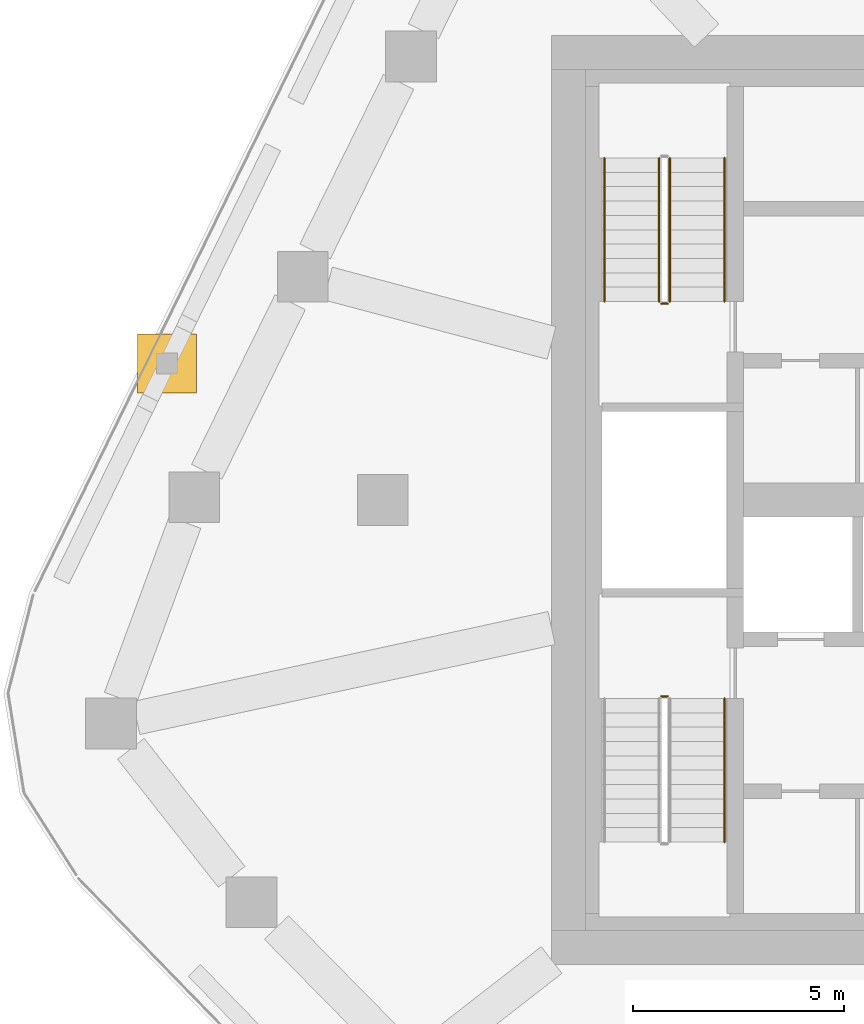
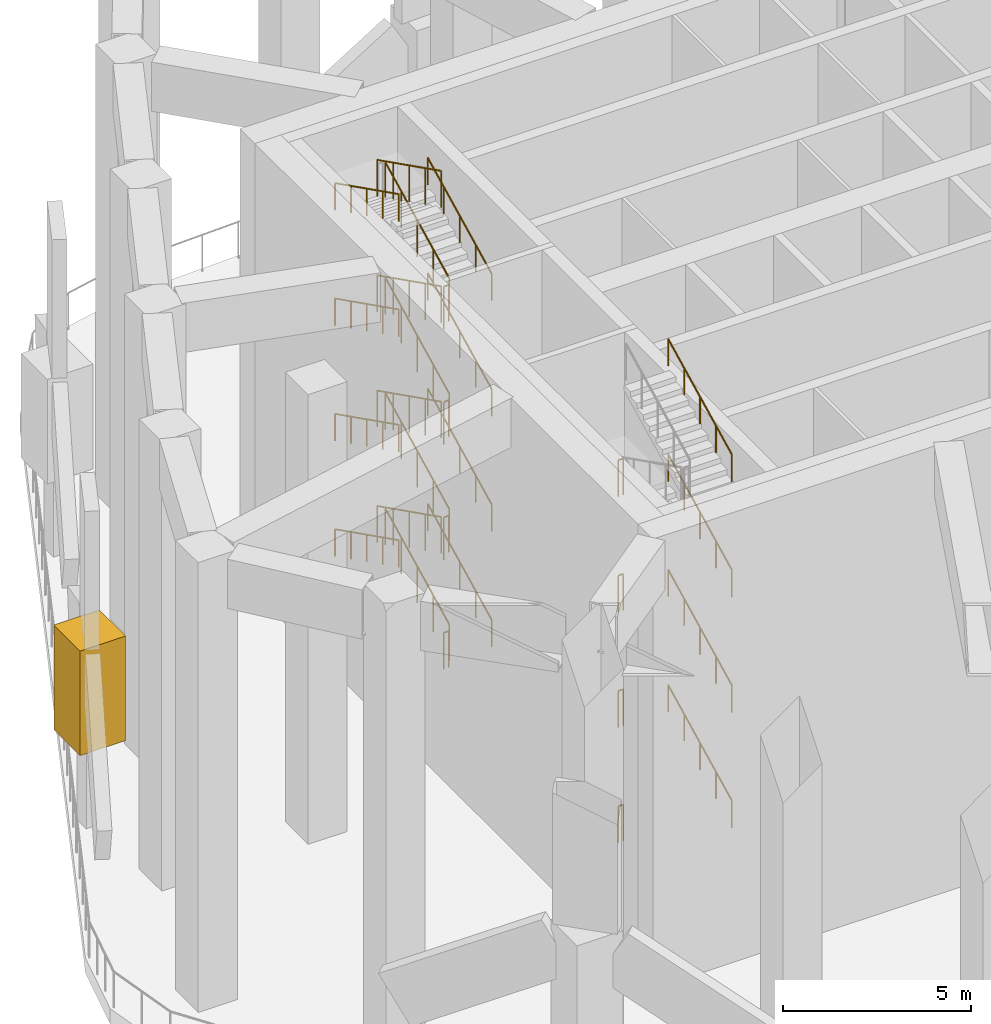
# One storey, part 8 of 12: 28 railings, 1 covering.
"""IFC4 building model written with IfcOpenShell, lengths in metres."""

from ifc_helpers import new_model, si_unit, direction, frame, origin, origin_2d, place, context, subcontext, project, spatial, rectangle, circle, extrude, material, material_profile, profile_set, type_object, element, save


model = new_model("IFC4")

# Units and contexts
model_context = context("Model", 3, precision=1e-05, world=origin(), true_north=direction((0.0, 1.0)))
body_context = subcontext(model_context, "Body", "Model", "MODEL_VIEW")
ifc_project = project(units=[si_unit("LENGTHUNIT", "METRE"), si_unit("AREAUNIT", "SQUARE_METRE"), si_unit("VOLUMEUNIT", "CUBIC_METRE"), si_unit("PLANEANGLEUNIT", "RADIAN"), si_unit("MASSUNIT", "GRAM", prefix="KILO")], contexts=[model_context])

# Site, building, storey
site_placement = place(None, origin())
site = spatial("IfcSite", under=ifc_project, at=site_placement, CompositionType="ELEMENT")
building_placement = place(site_placement, origin())
building = spatial("IfcBuilding", under=site, at=building_placement, Name="Dongbaek Canopy Tower", CompositionType="ELEMENT")
storey_placement = place(building_placement, frame((0.0, 0.0, 183.800048828125)))
storey = spatial("IfcBuildingStorey", under=building, at=storey_placement, Name="L40", CompositionType="ELEMENT", Elevation=183.800048828125)

# Railings
ifc_material_1 = material(Name="Stainless steel tube and balusters", Category="steel")
railing_type_1 = type_object("IfcRailingType", Name="Stair guard 1200", PredefinedType="GUARDRAIL", material=ifc_material_1)
railing_1_placement = place(storey_placement, frame((-11.199951171875, 4.699951171875, 0.17041015625)))
element("IfcRailing", 1, at=railing_1_placement, inside=storey, type_object=railing_type_1, Name="L40 ST-C stair guard 1", PredefinedType="GUARDRAIL", context=body_context, shape_type="SweptSolid", body=[
    extrude(circle(Radius=0.02392578125, at=origin_2d()), frame((0.0, 0.0, 1.17578125), z_axis=(0.0, 0.893951692422, 0.448163331406), x_axis=(-1.0, 0.0, 0.0)), (0.0, 0.0, 1.0), 3.803466796875),
    extrude(circle(Radius=0.02099609375, at=origin_2d()), origin(), (0.0, 0.0, 1.0), 1.15185546875),
    extrude(circle(Radius=0.02099609375, at=origin_2d()), frame((0.0, 0.85009765625, 0.42626953125)), (0.0, 0.0, 1.0), 1.15185546875),
    extrude(circle(Radius=0.02099609375, at=origin_2d()), frame((0.0, 1.7001953125, 0.852294921875)), (0.0, 0.0, 1.0), 1.15185546875),
    extrude(circle(Radius=0.02099609375, at=origin_2d()), frame((0.0, 2.550048828125, 1.2783203125)), (0.0, 0.0, 1.0), 1.15185546875),
    extrude(circle(Radius=0.02099609375, at=origin_2d()), frame((0.0, 3.400146484375, 1.70458984375)), (0.0, 0.0, 1.0), 1.15185546875),
])
railing_2_placement = place(storey_placement, frame((-11.449951171875, 8.10009765625, 2.04541015625)))
element("IfcRailing", 2, at=railing_2_placement, inside=storey, type_object=railing_type_1, Name="L40 ST-C stair guard 3", PredefinedType="GUARDRAIL", context=body_context, shape_type="SweptSolid", body=[
    extrude(circle(Radius=0.02392578125, at=origin_2d()), frame((0.0, 0.0, 1.17578125), z_axis=(0.0, -0.893951692422, 0.448163331406), x_axis=(1.0, 0.0, 0.0)), (0.0, 0.0, 1.0), 3.803466796875),
    extrude(circle(Radius=0.02099609375, at=origin_2d()), origin(), (0.0, 0.0, 1.0), 1.15185546875),
    extrude(circle(Radius=0.02099609375, at=origin_2d()), frame((0.0, -0.85009765625, 0.42626953125)), (0.0, 0.0, 1.0), 1.15185546875),
    extrude(circle(Radius=0.02099609375, at=origin_2d()), frame((0.0, -1.7001953125, 0.852294921875)), (0.0, 0.0, 1.0), 1.15185546875),
    extrude(circle(Radius=0.02099609375, at=origin_2d()), frame((0.0, -2.550048828125, 1.2783203125)), (0.0, 0.0, 1.0), 1.15185546875),
    extrude(circle(Radius=0.02099609375, at=origin_2d()), frame((0.0, -3.400146484375, 1.70458984375)), (0.0, 0.0, 1.0), 1.15185546875),
])
railing_3_placement = place(storey_placement, frame((-11.25, 4.64990234375, 3.75)))
element("IfcRailing", 3, at=railing_3_placement, inside=storey, type_object=railing_type_1, Name="L40 ST-C stair guard 4", PredefinedType="GUARDRAIL", context=body_context, shape_type="SweptSolid", body=[
    extrude(circle(Radius=0.02392578125, at=origin_2d()), frame((0.0, 0.0, 1.17578125), z_axis=(-1.0, 0.0, 0.0), x_axis=(0.0, -1.0, 0.0)), (0.0, 0.0, 1.0), 0.14990234375),
    extrude(circle(Radius=0.02099609375, at=origin_2d()), origin(), (0.0, 0.0, 1.0), 1.15185546875),
    extrude(circle(Radius=0.02099609375, at=origin_2d()), frame((-0.14990234375, 0.0, 0.0)), (0.0, 0.0, 1.0), 1.15185546875),
])
railing_4_placement = place(storey_placement, frame((-11.199951171875, 4.699951171875, 3.92041015625)))
element("IfcRailing", 4, at=railing_4_placement, inside=storey, type_object=railing_type_1, Name="L40 ST-C stair guard 5", PredefinedType="GUARDRAIL", context=body_context, shape_type="SweptSolid", body=[
    extrude(circle(Radius=0.02392578125, at=origin_2d()), frame((0.0, 0.0, 1.17578125), z_axis=(0.0, 0.893951692422, 0.448163331406), x_axis=(-1.0, 0.0, 0.0)), (0.0, 0.0, 1.0), 3.803466796875),
    extrude(circle(Radius=0.02099609375, at=origin_2d()), origin(), (0.0, 0.0, 1.0), 1.15185546875),
    extrude(circle(Radius=0.02099609375, at=origin_2d()), frame((0.0, 0.85009765625, 0.42626953125)), (0.0, 0.0, 1.0), 1.15185546875),
    extrude(circle(Radius=0.02099609375, at=origin_2d()), frame((0.0, 1.7001953125, 0.852294921875)), (0.0, 0.0, 1.0), 1.15185546875),
    extrude(circle(Radius=0.02099609375, at=origin_2d()), frame((0.0, 2.550048828125, 1.2783203125)), (0.0, 0.0, 1.0), 1.15185546875),
    extrude(circle(Radius=0.02099609375, at=origin_2d()), frame((0.0, 3.400146484375, 1.70458984375)), (0.0, 0.0, 1.0), 1.15185546875),
])
railing_5_placement = place(storey_placement, frame((-11.449951171875, 8.10009765625, 5.79541015625)))
element("IfcRailing", 5, at=railing_5_placement, inside=storey, type_object=railing_type_1, Name="L40 ST-C stair guard 7", PredefinedType="GUARDRAIL", context=body_context, shape_type="SweptSolid", body=[
    extrude(circle(Radius=0.02392578125, at=origin_2d()), frame((0.0, 0.0, 1.17578125), z_axis=(0.0, -0.893951692422, 0.448163331406), x_axis=(1.0, 0.0, 0.0)), (0.0, 0.0, 1.0), 3.803466796875),
    extrude(circle(Radius=0.02099609375, at=origin_2d()), origin(), (0.0, 0.0, 1.0), 1.15185546875),
    extrude(circle(Radius=0.02099609375, at=origin_2d()), frame((0.0, -0.85009765625, 0.42626953125)), (0.0, 0.0, 1.0), 1.15185546875),
    extrude(circle(Radius=0.02099609375, at=origin_2d()), frame((0.0, -1.7001953125, 0.852294921875)), (0.0, 0.0, 1.0), 1.15185546875),
    extrude(circle(Radius=0.02099609375, at=origin_2d()), frame((0.0, -2.550048828125, 1.2783203125)), (0.0, 0.0, 1.0), 1.15185546875),
    extrude(circle(Radius=0.02099609375, at=origin_2d()), frame((0.0, -3.400146484375, 1.70458984375)), (0.0, 0.0, 1.0), 1.15185546875),
])
railing_6_placement = place(storey_placement, frame((-11.25, 4.64990234375, 7.5)))
element("IfcRailing", 6, at=railing_6_placement, inside=storey, type_object=railing_type_1, Name="L40 ST-C stair guard 8", PredefinedType="GUARDRAIL", context=body_context, shape_type="SweptSolid", body=[
    extrude(circle(Radius=0.02392578125, at=origin_2d()), frame((0.0, 0.0, 1.17578125), z_axis=(-1.0, 0.0, 0.0), x_axis=(0.0, -1.0, 0.0)), (0.0, 0.0, 1.0), 0.14990234375),
    extrude(circle(Radius=0.02099609375, at=origin_2d()), origin(), (0.0, 0.0, 1.0), 1.15185546875),
    extrude(circle(Radius=0.02099609375, at=origin_2d()), frame((-0.14990234375, 0.0, 0.0)), (0.0, 0.0, 1.0), 1.15185546875),
])
railing_7_placement = place(storey_placement, frame((-11.199951171875, 4.699951171875, 7.67041015625)))
element("IfcRailing", 7, at=railing_7_placement, inside=storey, type_object=railing_type_1, Name="L40 ST-C stair guard 9", PredefinedType="GUARDRAIL", context=body_context, shape_type="SweptSolid", body=[
    extrude(circle(Radius=0.02392578125, at=origin_2d()), frame((0.0, 0.0, 1.17578125), z_axis=(0.0, 0.893951692422, 0.448163331406), x_axis=(-1.0, 0.0, 0.0)), (0.0, 0.0, 1.0), 3.803466796875),
    extrude(circle(Radius=0.02099609375, at=origin_2d()), origin(), (0.0, 0.0, 1.0), 1.15185546875),
    extrude(circle(Radius=0.02099609375, at=origin_2d()), frame((0.0, 0.85009765625, 0.42626953125)), (0.0, 0.0, 1.0), 1.15185546875),
    extrude(circle(Radius=0.02099609375, at=origin_2d()), frame((0.0, 1.7001953125, 0.852294921875)), (0.0, 0.0, 1.0), 1.15185546875),
    extrude(circle(Radius=0.02099609375, at=origin_2d()), frame((0.0, 2.550048828125, 1.2783203125)), (0.0, 0.0, 1.0), 1.15185546875),
    extrude(circle(Radius=0.02099609375, at=origin_2d()), frame((0.0, 3.400146484375, 1.70458984375)), (0.0, 0.0, 1.0), 1.15185546875),
])
railing_8_placement = place(storey_placement, frame((-11.449951171875, 8.10009765625, 9.54541015625)))
element("IfcRailing", 8, at=railing_8_placement, inside=storey, type_object=railing_type_1, Name="L40 ST-C stair guard 11", PredefinedType="GUARDRAIL", context=body_context, shape_type="SweptSolid", body=[
    extrude(circle(Radius=0.02392578125, at=origin_2d()), frame((0.0, 0.0, 1.17578125), z_axis=(0.0, -0.893951692422, 0.448163331406), x_axis=(1.0, 0.0, 0.0)), (0.0, 0.0, 1.0), 3.803466796875),
    extrude(circle(Radius=0.02099609375, at=origin_2d()), origin(), (0.0, 0.0, 1.0), 1.15185546875),
    extrude(circle(Radius=0.02099609375, at=origin_2d()), frame((0.0, -0.85009765625, 0.42626953125)), (0.0, 0.0, 1.0), 1.15185546875),
    extrude(circle(Radius=0.02099609375, at=origin_2d()), frame((0.0, -1.7001953125, 0.852294921875)), (0.0, 0.0, 1.0), 1.15185546875),
    extrude(circle(Radius=0.02099609375, at=origin_2d()), frame((0.0, -2.550048828125, 1.2783203125)), (0.0, 0.0, 1.0), 1.15185546875),
    extrude(circle(Radius=0.02099609375, at=origin_2d()), frame((0.0, -3.400146484375, 1.70458984375)), (0.0, 0.0, 1.0), 1.15185546875),
])
railing_9_placement = place(storey_placement, frame((-11.25, 4.64990234375, 11.25)))
element("IfcRailing", 9, at=railing_9_placement, inside=storey, type_object=railing_type_1, Name="L40 ST-C stair guard 12", PredefinedType="GUARDRAIL", context=body_context, shape_type="SweptSolid", body=[
    extrude(circle(Radius=0.02392578125, at=origin_2d()), frame((0.0, 0.0, 1.17578125), z_axis=(-1.0, 0.0, 0.0), x_axis=(0.0, -1.0, 0.0)), (0.0, 0.0, 1.0), 0.14990234375),
    extrude(circle(Radius=0.02099609375, at=origin_2d()), origin(), (0.0, 0.0, 1.0), 1.15185546875),
    extrude(circle(Radius=0.02099609375, at=origin_2d()), frame((-0.14990234375, 0.0, 0.0)), (0.0, 0.0, 1.0), 1.15185546875),
])
railing_10_placement = place(storey_placement, frame((-11.199951171875, 4.699951171875, 11.42041015625)))
element("IfcRailing", 10, at=railing_10_placement, inside=storey, type_object=railing_type_1, Name="L40 ST-C stair guard 13", PredefinedType="GUARDRAIL", context=body_context, shape_type="SweptSolid", body=[
    extrude(circle(Radius=0.02392578125, at=origin_2d()), frame((0.0, 0.0, 1.17578125), z_axis=(0.0, 0.893951692422, 0.448163331406), x_axis=(-1.0, 0.0, 0.0)), (0.0, 0.0, 1.0), 3.803466796875),
    extrude(circle(Radius=0.02099609375, at=origin_2d()), origin(), (0.0, 0.0, 1.0), 1.15185546875),
    extrude(circle(Radius=0.02099609375, at=origin_2d()), frame((0.0, 0.85009765625, 0.42626953125)), (0.0, 0.0, 1.0), 1.15185546875),
    extrude(circle(Radius=0.02099609375, at=origin_2d()), frame((0.0, 1.7001953125, 0.852294921875)), (0.0, 0.0, 1.0), 1.15185546875),
    extrude(circle(Radius=0.02099609375, at=origin_2d()), frame((0.0, 2.550048828125, 1.2783203125)), (0.0, 0.0, 1.0), 1.15185546875),
    extrude(circle(Radius=0.02099609375, at=origin_2d()), frame((0.0, 3.400146484375, 1.70458984375)), (0.0, 0.0, 1.0), 1.15185546875),
])
railing_11_placement = place(storey_placement, frame((-11.449951171875, 8.10009765625, 13.29541015625)))
element("IfcRailing", 11, at=railing_11_placement, inside=storey, type_object=railing_type_1, Name="L40 ST-C stair guard 15", PredefinedType="GUARDRAIL", context=body_context, shape_type="SweptSolid", body=[
    extrude(circle(Radius=0.02392578125, at=origin_2d()), frame((0.0, 0.0, 1.17578125), z_axis=(0.0, -0.893951692422, 0.448163331406), x_axis=(1.0, 0.0, 0.0)), (0.0, 0.0, 1.0), 3.803466796875),
    extrude(circle(Radius=0.02099609375, at=origin_2d()), origin(), (0.0, 0.0, 1.0), 1.15185546875),
    extrude(circle(Radius=0.02099609375, at=origin_2d()), frame((0.0, -0.85009765625, 0.42626953125)), (0.0, 0.0, 1.0), 1.15185546875),
    extrude(circle(Radius=0.02099609375, at=origin_2d()), frame((0.0, -1.7001953125, 0.852294921875)), (0.0, 0.0, 1.0), 1.15185546875),
    extrude(circle(Radius=0.02099609375, at=origin_2d()), frame((0.0, -2.550048828125, 1.2783203125)), (0.0, 0.0, 1.0), 1.15185546875),
    extrude(circle(Radius=0.02099609375, at=origin_2d()), frame((0.0, -3.400146484375, 1.70458984375)), (0.0, 0.0, 1.0), 1.15185546875),
])
railing_12_placement = place(storey_placement, frame((-11.25, 4.64990234375, 0.0)))
element("IfcRailing", 12, at=railing_12_placement, inside=storey, type_object=railing_type_1, Name="L40 ST-C stair guard 16", PredefinedType="GUARDRAIL", context=body_context, shape_type="SweptSolid", body=[
    extrude(circle(Radius=0.02392578125, at=origin_2d()), frame((0.0, 0.0, 1.17578125), z_axis=(-1.0, 0.0, 0.0), x_axis=(0.0, -1.0, 0.0)), (0.0, 0.0, 1.0), 0.14990234375),
    extrude(circle(Radius=0.02099609375, at=origin_2d()), origin(), (0.0, 0.0, 1.0), 1.15185546875),
    extrude(circle(Radius=0.02099609375, at=origin_2d()), frame((-0.14990234375, 0.0, 0.0)), (0.0, 0.0, 1.0), 1.15185546875),
])
for number, where, name in (
    (13, (-11.39990234375, -4.64990234375, 3.75), "L40 ST-D stair guard 4"),
    (14, (-11.39990234375, -4.64990234375, 7.5), "L40 ST-D stair guard 8"),
    (15, (-11.39990234375, -4.64990234375, 11.25), "L40 ST-D stair guard 12"),
    (16, (-11.39990234375, -4.64990234375, 0.0), "L40 ST-D stair guard 16"),
):
    element("IfcRailing", number, at=place(storey_placement, frame(where)), inside=storey, type_object=railing_type_1, Name=name, PredefinedType="GUARDRAIL", context=body_context, shape_type="SweptSolid", body=[
        extrude(circle(Radius=0.02392578125, at=origin_2d()), frame((0.0, 0.0, 1.17578125), z_axis=(1.0, 0.0, 0.0), x_axis=(0.0, 1.0, 0.0)), (0.0, 0.0, 1.0), 0.14990234375),
        extrude(circle(Radius=0.02099609375, at=origin_2d()), origin(), (0.0, 0.0, 1.0), 1.15185546875),
        extrude(circle(Radius=0.02099609375, at=origin_2d()), frame((0.14990234375, 0.0, 0.0)), (0.0, 0.0, 1.0), 1.15185546875),
    ])
ifc_material_2 = material(Name="Stainless steel tube", Category="steel")
railing_type_2 = type_object("IfcRailingType", Name="Stair handrail 900", PredefinedType="HANDRAIL", material=ifc_material_2)
railing_13_placement = place(storey_placement, frame((-9.89990234375, 4.699951171875, 0.17041015625)))
element("IfcRailing", 17, at=railing_13_placement, inside=storey, type_object=railing_type_2, Name="L40 ST-C stair handrail 1", PredefinedType="HANDRAIL", context=body_context, shape_type="SweptSolid", body=[
    extrude(circle(Radius=0.02392578125, at=origin_2d()), frame((0.0, 0.0, 0.8759765625), z_axis=(0.0, 0.893951692422, 0.448163331406), x_axis=(-1.0, 0.0, 0.0)), (0.0, 0.0, 1.0), 3.803466796875),
    extrude(circle(Radius=0.02099609375, at=origin_2d()), origin(), (0.0, 0.0, 1.0), 0.851806640625),
    extrude(circle(Radius=0.02099609375, at=origin_2d()), frame((0.0, 0.85009765625, 0.42626953125)), (0.0, 0.0, 1.0), 0.851806640625),
    extrude(circle(Radius=0.02099609375, at=origin_2d()), frame((0.0, 1.7001953125, 0.852294921875)), (0.0, 0.0, 1.0), 0.851806640625),
    extrude(circle(Radius=0.02099609375, at=origin_2d()), frame((0.0, 2.550048828125, 1.2783203125)), (0.0, 0.0, 1.0), 0.851806640625),
    extrude(circle(Radius=0.02099609375, at=origin_2d()), frame((0.0, 3.400146484375, 1.70458984375)), (0.0, 0.0, 1.0), 0.851806640625),
])
railing_14_placement = place(storey_placement, frame((-12.75, 8.10009765625, 2.04541015625)))
element("IfcRailing", 18, at=railing_14_placement, inside=storey, type_object=railing_type_2, Name="L40 ST-C stair handrail 2", PredefinedType="HANDRAIL", context=body_context, shape_type="SweptSolid", body=[
    extrude(circle(Radius=0.02392578125, at=origin_2d()), frame((0.0, 0.0, 0.8759765625), z_axis=(0.0, -0.893951692422, 0.448163331406), x_axis=(1.0, 0.0, 0.0)), (0.0, 0.0, 1.0), 3.803466796875),
    extrude(circle(Radius=0.02099609375, at=origin_2d()), origin(), (0.0, 0.0, 1.0), 0.851806640625),
    extrude(circle(Radius=0.02099609375, at=origin_2d()), frame((0.0, -0.85009765625, 0.42626953125)), (0.0, 0.0, 1.0), 0.851806640625),
    extrude(circle(Radius=0.02099609375, at=origin_2d()), frame((0.0, -1.7001953125, 0.852294921875)), (0.0, 0.0, 1.0), 0.851806640625),
    extrude(circle(Radius=0.02099609375, at=origin_2d()), frame((0.0, -2.550048828125, 1.2783203125)), (0.0, 0.0, 1.0), 0.851806640625),
    extrude(circle(Radius=0.02099609375, at=origin_2d()), frame((0.0, -3.400146484375, 1.70458984375)), (0.0, 0.0, 1.0), 0.851806640625),
])
railing_15_placement = place(storey_placement, frame((-9.89990234375, 4.699951171875, 3.92041015625)))
element("IfcRailing", 19, at=railing_15_placement, inside=storey, type_object=railing_type_2, Name="L40 ST-C stair handrail 3", PredefinedType="HANDRAIL", context=body_context, shape_type="SweptSolid", body=[
    extrude(circle(Radius=0.02392578125, at=origin_2d()), frame((0.0, 0.0, 0.8759765625), z_axis=(0.0, 0.893951692422, 0.448163331406), x_axis=(-1.0, 0.0, 0.0)), (0.0, 0.0, 1.0), 3.803466796875),
    extrude(circle(Radius=0.02099609375, at=origin_2d()), origin(), (0.0, 0.0, 1.0), 0.851806640625),
    extrude(circle(Radius=0.02099609375, at=origin_2d()), frame((0.0, 0.85009765625, 0.42626953125)), (0.0, 0.0, 1.0), 0.851806640625),
    extrude(circle(Radius=0.02099609375, at=origin_2d()), frame((0.0, 1.7001953125, 0.852294921875)), (0.0, 0.0, 1.0), 0.851806640625),
    extrude(circle(Radius=0.02099609375, at=origin_2d()), frame((0.0, 2.550048828125, 1.2783203125)), (0.0, 0.0, 1.0), 0.851806640625),
    extrude(circle(Radius=0.02099609375, at=origin_2d()), frame((0.0, 3.400146484375, 1.70458984375)), (0.0, 0.0, 1.0), 0.851806640625),
])
railing_16_placement = place(storey_placement, frame((-12.75, 8.10009765625, 5.79541015625)))
element("IfcRailing", 20, at=railing_16_placement, inside=storey, type_object=railing_type_2, Name="L40 ST-C stair handrail 4", PredefinedType="HANDRAIL", context=body_context, shape_type="SweptSolid", body=[
    extrude(circle(Radius=0.02392578125, at=origin_2d()), frame((0.0, 0.0, 0.8759765625), z_axis=(0.0, -0.893951692422, 0.448163331406), x_axis=(1.0, 0.0, 0.0)), (0.0, 0.0, 1.0), 3.803466796875),
    extrude(circle(Radius=0.02099609375, at=origin_2d()), origin(), (0.0, 0.0, 1.0), 0.851806640625),
    extrude(circle(Radius=0.02099609375, at=origin_2d()), frame((0.0, -0.85009765625, 0.42626953125)), (0.0, 0.0, 1.0), 0.851806640625),
    extrude(circle(Radius=0.02099609375, at=origin_2d()), frame((0.0, -1.7001953125, 0.852294921875)), (0.0, 0.0, 1.0), 0.851806640625),
    extrude(circle(Radius=0.02099609375, at=origin_2d()), frame((0.0, -2.550048828125, 1.2783203125)), (0.0, 0.0, 1.0), 0.851806640625),
    extrude(circle(Radius=0.02099609375, at=origin_2d()), frame((0.0, -3.400146484375, 1.70458984375)), (0.0, 0.0, 1.0), 0.851806640625),
])
railing_17_placement = place(storey_placement, frame((-9.89990234375, 4.699951171875, 7.67041015625)))
element("IfcRailing", 21, at=railing_17_placement, inside=storey, type_object=railing_type_2, Name="L40 ST-C stair handrail 5", PredefinedType="HANDRAIL", context=body_context, shape_type="SweptSolid", body=[
    extrude(circle(Radius=0.02392578125, at=origin_2d()), frame((0.0, 0.0, 0.8759765625), z_axis=(0.0, 0.893951692422, 0.448163331406), x_axis=(-1.0, 0.0, 0.0)), (0.0, 0.0, 1.0), 3.803466796875),
    extrude(circle(Radius=0.02099609375, at=origin_2d()), origin(), (0.0, 0.0, 1.0), 0.851806640625),
    extrude(circle(Radius=0.02099609375, at=origin_2d()), frame((0.0, 0.85009765625, 0.42626953125)), (0.0, 0.0, 1.0), 0.851806640625),
    extrude(circle(Radius=0.02099609375, at=origin_2d()), frame((0.0, 1.7001953125, 0.852294921875)), (0.0, 0.0, 1.0), 0.851806640625),
    extrude(circle(Radius=0.02099609375, at=origin_2d()), frame((0.0, 2.550048828125, 1.2783203125)), (0.0, 0.0, 1.0), 0.851806640625),
    extrude(circle(Radius=0.02099609375, at=origin_2d()), frame((0.0, 3.400146484375, 1.70458984375)), (0.0, 0.0, 1.0), 0.851806640625),
])
railing_18_placement = place(storey_placement, frame((-12.75, 8.10009765625, 9.54541015625)))
element("IfcRailing", 22, at=railing_18_placement, inside=storey, type_object=railing_type_2, Name="L40 ST-C stair handrail 6", PredefinedType="HANDRAIL", context=body_context, shape_type="SweptSolid", body=[
    extrude(circle(Radius=0.02392578125, at=origin_2d()), frame((0.0, 0.0, 0.8759765625), z_axis=(0.0, -0.893951692422, 0.448163331406), x_axis=(1.0, 0.0, 0.0)), (0.0, 0.0, 1.0), 3.803466796875),
    extrude(circle(Radius=0.02099609375, at=origin_2d()), origin(), (0.0, 0.0, 1.0), 0.851806640625),
    extrude(circle(Radius=0.02099609375, at=origin_2d()), frame((0.0, -0.85009765625, 0.42626953125)), (0.0, 0.0, 1.0), 0.851806640625),
    extrude(circle(Radius=0.02099609375, at=origin_2d()), frame((0.0, -1.7001953125, 0.852294921875)), (0.0, 0.0, 1.0), 0.851806640625),
    extrude(circle(Radius=0.02099609375, at=origin_2d()), frame((0.0, -2.550048828125, 1.2783203125)), (0.0, 0.0, 1.0), 0.851806640625),
    extrude(circle(Radius=0.02099609375, at=origin_2d()), frame((0.0, -3.400146484375, 1.70458984375)), (0.0, 0.0, 1.0), 0.851806640625),
])
railing_19_placement = place(storey_placement, frame((-9.89990234375, 4.699951171875, 11.42041015625)))
element("IfcRailing", 23, at=railing_19_placement, inside=storey, type_object=railing_type_2, Name="L40 ST-C stair handrail 7", PredefinedType="HANDRAIL", context=body_context, shape_type="SweptSolid", body=[
    extrude(circle(Radius=0.02392578125, at=origin_2d()), frame((0.0, 0.0, 0.8759765625), z_axis=(0.0, 0.893951692422, 0.448163331406), x_axis=(-1.0, 0.0, 0.0)), (0.0, 0.0, 1.0), 3.803466796875),
    extrude(circle(Radius=0.02099609375, at=origin_2d()), origin(), (0.0, 0.0, 1.0), 0.851806640625),
    extrude(circle(Radius=0.02099609375, at=origin_2d()), frame((0.0, 0.85009765625, 0.42626953125)), (0.0, 0.0, 1.0), 0.851806640625),
    extrude(circle(Radius=0.02099609375, at=origin_2d()), frame((0.0, 1.7001953125, 0.852294921875)), (0.0, 0.0, 1.0), 0.851806640625),
    extrude(circle(Radius=0.02099609375, at=origin_2d()), frame((0.0, 2.550048828125, 1.2783203125)), (0.0, 0.0, 1.0), 0.851806640625),
    extrude(circle(Radius=0.02099609375, at=origin_2d()), frame((0.0, 3.400146484375, 1.70458984375)), (0.0, 0.0, 1.0), 0.851806640625),
])
railing_20_placement = place(storey_placement, frame((-12.75, 8.10009765625, 13.29541015625)))
element("IfcRailing", 24, at=railing_20_placement, inside=storey, type_object=railing_type_2, Name="L40 ST-C stair handrail 8", PredefinedType="HANDRAIL", context=body_context, shape_type="SweptSolid", body=[
    extrude(circle(Radius=0.02392578125, at=origin_2d()), frame((0.0, 0.0, 0.8759765625), z_axis=(0.0, -0.893951692422, 0.448163331406), x_axis=(1.0, 0.0, 0.0)), (0.0, 0.0, 1.0), 3.803466796875),
    extrude(circle(Radius=0.02099609375, at=origin_2d()), origin(), (0.0, 0.0, 1.0), 0.851806640625),
    extrude(circle(Radius=0.02099609375, at=origin_2d()), frame((0.0, -0.85009765625, 0.42626953125)), (0.0, 0.0, 1.0), 0.851806640625),
    extrude(circle(Radius=0.02099609375, at=origin_2d()), frame((0.0, -1.7001953125, 0.852294921875)), (0.0, 0.0, 1.0), 0.851806640625),
    extrude(circle(Radius=0.02099609375, at=origin_2d()), frame((0.0, -2.550048828125, 1.2783203125)), (0.0, 0.0, 1.0), 0.851806640625),
    extrude(circle(Radius=0.02099609375, at=origin_2d()), frame((0.0, -3.400146484375, 1.70458984375)), (0.0, 0.0, 1.0), 0.851806640625),
])
for number, where, name in (
    (25, (-9.89990234375, -8.10009765625, 2.04541015625), "L40 ST-D stair handrail 2"),
    (26, (-9.89990234375, -8.10009765625, 5.79541015625), "L40 ST-D stair handrail 4"),
    (27, (-9.89990234375, -8.10009765625, 9.54541015625), "L40 ST-D stair handrail 6"),
    (28, (-9.89990234375, -8.10009765625, 13.29541015625), "L40 ST-D stair handrail 8"),
):
    element("IfcRailing", number, at=place(storey_placement, frame(where)), inside=storey, type_object=railing_type_2, Name=name, PredefinedType="HANDRAIL", context=body_context, shape_type="SweptSolid", body=[
        extrude(circle(Radius=0.02392578125, at=origin_2d()), frame((0.0, 0.0, 0.8759765625), z_axis=(0.0, 0.893951692422, 0.448163331406), x_axis=(-1.0, 0.0, 0.0)), (0.0, 0.0, 1.0), 3.803466796875),
        extrude(circle(Radius=0.02099609375, at=origin_2d()), origin(), (0.0, 0.0, 1.0), 0.851806640625),
        extrude(circle(Radius=0.02099609375, at=origin_2d()), frame((0.0, 0.85009765625, 0.42626953125)), (0.0, 0.0, 1.0), 0.851806640625),
        extrude(circle(Radius=0.02099609375, at=origin_2d()), frame((0.0, 1.7001953125, 0.852294921875)), (0.0, 0.0, 1.0), 0.851806640625),
        extrude(circle(Radius=0.02099609375, at=origin_2d()), frame((0.0, 2.550048828125, 1.2783203125)), (0.0, 0.0, 1.0), 0.851806640625),
        extrude(circle(Radius=0.02099609375, at=origin_2d()), frame((0.0, 3.400146484375, 1.70458984375)), (0.0, 0.0, 1.0), 0.851806640625),
    ])

# Covering
ifc_material_3 = material(Name="Aluminium 6063-T6 pale metal turbine rotor", Category="aluminium")
ifc_material_profile = material_profile(ifc_material_3, rectangle(XDim=1.39990234375, YDim=1.39990234375, at=origin_2d()), Name="Turbine hub 1400")
ifc_profile_set = profile_set([ifc_material_profile], Name="Aluminium 6063-T6 pale metal turbine rotor")
covering_type = type_object("IfcCoveringType", Name="Turbine hub 1400", PredefinedType="CLADDING", material=ifc_profile_set)
covering_placement = place(storey_placement, frame((-23.1044921875, 3.228759765625, 2.807861328125), z_axis=(0.0, 0.0, 1.0), x_axis=(1.0, 0.0, 0.0)))
element("IfcCovering", 29, at=covering_placement, inside=storey, type_object=covering_type, Name="Turbine 4 hub", PredefinedType="CLADDING", context=body_context, shape_type="SweptSolid", body=[
    extrude(rectangle(XDim=1.39990234375, YDim=1.39990234375, at=origin_2d()), origin(), (0.0, 0.0, 1.0), 3.400146484375),
])

save(model, "model.ifc")
